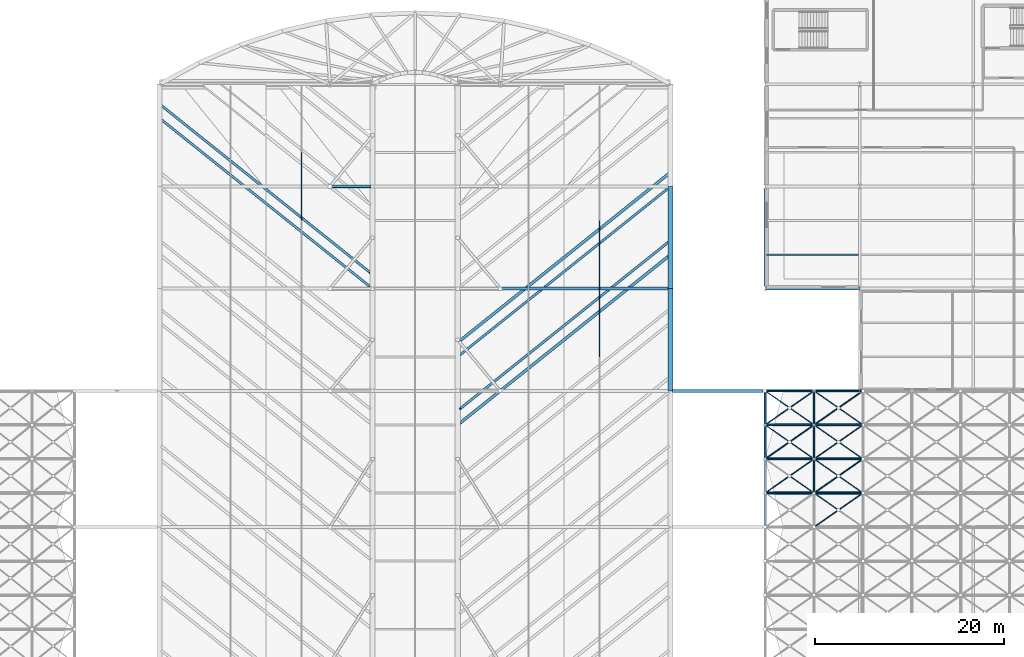
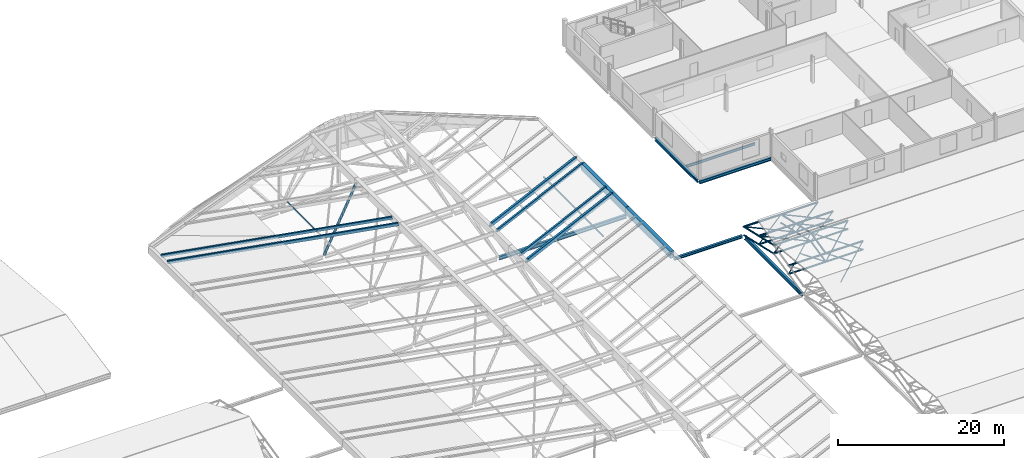
# One storey, part 32 of 110: 47 members, 14 beams.
"""IFC4 building model written with IfcOpenShell, lengths in metres."""

from ifc_helpers import new_model, si_unit, direction, frame, origin, origin_2d, place, context, subcontext, project, spatial, hollow_rectangle, hollow_circle, i_section, extrude, material, material_profile, profile_set, type_object, element, save


model = new_model("IFC4")

# Units and contexts
model_context = context("Model", 3, precision=1e-05, world=origin(), true_north=direction((0.0, 1.0)))
body_context = subcontext(model_context, "Body", "Model", "MODEL_VIEW")
ifc_project = project(units=[si_unit("LENGTHUNIT", "METRE"), si_unit("AREAUNIT", "SQUARE_METRE"), si_unit("VOLUMEUNIT", "CUBIC_METRE"), si_unit("PLANEANGLEUNIT", "RADIAN"), si_unit("MASSUNIT", "GRAM", prefix="KILO")], contexts=[model_context])

# Site, building, storey
site_placement = place(None, origin())
site = spatial("IfcSite", under=ifc_project, at=site_placement, CompositionType="ELEMENT")
building_placement = place(site_placement, origin())
building = spatial("IfcBuilding", under=site, at=building_placement, Name="Tamarisk Ironworks Central Station", CompositionType="ELEMENT")
storey_placement = place(building_placement, frame((0.0, 0.0, 17.39990234375)))
storey = spatial("IfcBuildingStorey", under=building, at=storey_placement, Name="L03", CompositionType="ELEMENT", Elevation=17.39990234375)

# Beams
ifc_material_1 = material(Name="Structural steel S355J2", Category="steel")
ifc_material_profile_1 = material_profile(ifc_material_1, i_section(OverallWidth=0.169921875, OverallDepth=0.360107421875, WebThickness=0.008056640625, FlangeThickness=0.0126953125, at=origin_2d()), Name="IPE 360")
ifc_profile_set_1 = profile_set([ifc_material_profile_1], Name="Structural steel S355J2")
beam_type_1 = type_object("IfcBeamType", Name="BM-B05", PredefinedType="BEAM", material=ifc_profile_set_1)
beam_1_placement = place(storey_placement, frame((118.135009765625, 93.60009765625, -0.429931640625), z_axis=(1.0, 0.0, 0.0), x_axis=(0.0, 1.0, 0.0)))
element("IfcBeam", 1, at=beam_1_placement, inside=storey, type_object=beam_type_1, Name="L03 secondary composite beam 0197", PredefinedType="BEAM", context=body_context, shape_type="SweptSolid", body=[
    extrude(i_section(OverallWidth=0.169921875, OverallDepth=0.360107421875, WebThickness=0.008056640625, FlangeThickness=0.0126953125, at=origin_2d()), origin(), (0.0, 0.0, 1.0), 9.72998046875),
])
ifc_material_2 = material(Name="Painted structural steel S355J2", Category="steel")
ifc_material_profile_2 = material_profile(ifc_material_2, hollow_rectangle(XDim=0.5, YDim=1.0, WallThickness=0.02197265625, at=origin_2d()), Name="BOX 500x1000x22")
ifc_profile_set_2 = profile_set([ifc_material_profile_2], Name="Painted structural steel S355J2")
beam_type_2 = type_object("IfcBeamType", Name="BM-EG01", PredefinedType="USERDEFINED", material=ifc_profile_set_2)
for number, where, z_axis, x_axis, name in (
    (2, (108.0, 79.199951171875, -1.099853515625), (0.0, 1.0, 0.0), (-1.0, 0.0, 0.0), "Concourse straight white eave girder E-014"),
    (3, (108.0, 90.0, -1.099853515625), (0.0, 1.0, 0.0), (-1.0, 0.0, 0.0), "Concourse straight white eave girder E-015"),
):
    element("IfcBeam", number, at=place(storey_placement, frame(where, z_axis=z_axis, x_axis=x_axis)), inside=storey, type_object=beam_type_2, Name=name, ObjectType="TRANSFER GIRDER", PredefinedType="USERDEFINED", context=body_context, shape_type="SweptSolid", body=[
        extrude(hollow_rectangle(XDim=0.5, YDim=1.0, WallThickness=0.02197265625, at=origin_2d()), origin(), (0.0, 0.0, 1.0), 10.800048828125),
    ])
ifc_material_profile_3 = material_profile(ifc_material_2, hollow_rectangle(XDim=0.300048828125, YDim=0.5, WallThickness=0.02001953125, at=origin_2d()), Name="RHS 500x300x20")
ifc_profile_set_3 = profile_set([ifc_material_profile_3], Name="Painted structural steel S355J2")
beam_type_3 = type_object("IfcBeamType", Name="BM-FR01", PredefinedType="USERDEFINED", material=ifc_profile_set_3)
beam_2_placement = place(storey_placement, frame((85.75, 75.800048828125, 7.873291015625), z_axis=(0.74681641456, 0.597451475993, -0.292090699574), x_axis=(-0.624693991975, 0.780869653906, 0.0)))
element("IfcBeam", 4, at=beam_2_placement, inside=storey, type_object=beam_type_3, Name="Concourse paired 45-degree white fishbone roof rib 0158", ObjectType="FISHBONE ROOF RIB", PredefinedType="USERDEFINED", context=body_context, shape_type="SweptSolid", body=[
    extrude(hollow_rectangle(XDim=0.300048828125, YDim=0.5, WallThickness=0.02001953125, at=origin_2d()), origin(), (0.0, 0.0, 1.0), 29.49169921875),
])
beam_3_placement = place(storey_placement, frame((85.75, 84.5, 7.873291015625), z_axis=(0.746812720906, 0.597456799313, -0.292089254932), x_axis=(-0.624699269839, 0.780865431597, 0.0)))
element("IfcBeam", 5, at=beam_3_placement, inside=storey, type_object=beam_type_3, Name="Concourse paired 45-degree white fishbone roof rib 0164", ObjectType="FISHBONE ROOF RIB", PredefinedType="USERDEFINED", context=body_context, shape_type="SweptSolid", body=[
    extrude(hollow_rectangle(XDim=0.300048828125, YDim=0.5, WallThickness=0.02001953125, at=origin_2d()), origin(), (0.0, 0.0, 1.0), 29.491943359375),
])
ifc_material_profile_4 = material_profile(ifc_material_2, hollow_rectangle(XDim=0.25, YDim=0.449951171875, WallThickness=0.01611328125, at=origin_2d()), Name="RHS 450x250x16")
ifc_profile_set_4 = profile_set([ifc_material_profile_4], Name="Painted structural steel S355J2")
beam_type_4 = type_object("IfcBeamType", Name="BM-FR02", PredefinedType="USERDEFINED", material=ifc_profile_set_4)
beam_4_placement = place(storey_placement, frame((85.75, 77.300048828125, 7.897216796875), z_axis=(0.74681641456, 0.597451475993, -0.292090699574), x_axis=(-0.624693991975, 0.780869653906, 0.0)))
element("IfcBeam", 6, at=beam_4_placement, inside=storey, type_object=beam_type_4, Name="Concourse paired 45-degree white fishbone roof rib 0160", ObjectType="FISHBONE ROOF RIB", PredefinedType="USERDEFINED", context=body_context, shape_type="SweptSolid", body=[
    extrude(hollow_rectangle(XDim=0.25, YDim=0.449951171875, WallThickness=0.01611328125, at=origin_2d()), origin(), (0.0, 0.0, 1.0), 29.49169921875),
])
beam_5_placement = place(storey_placement, frame((76.25, 90.199951171875, 7.897216796875), z_axis=(-0.746812720906, 0.597456799313, -0.292089254932), x_axis=(-0.624699269839, -0.780865431597, 0.0)))
element("IfcBeam", 7, at=beam_5_placement, inside=storey, type_object=beam_type_4, Name="Concourse paired 45-degree white fishbone roof rib 0165", ObjectType="FISHBONE ROOF RIB", PredefinedType="USERDEFINED", context=body_context, shape_type="SweptSolid", body=[
    extrude(hollow_rectangle(XDim=0.25, YDim=0.449951171875, WallThickness=0.01611328125, at=origin_2d()), origin(), (0.0, 0.0, 1.0), 29.491943359375),
])
ifc_material_profile_5 = material_profile(ifc_material_2, hollow_rectangle(XDim=0.25, YDim=0.39990234375, WallThickness=0.01611328125, at=origin_2d()), Name="RHS 400x250x16")
ifc_profile_set_5 = profile_set([ifc_material_profile_5], Name="Painted structural steel S355J2")
beam_type_5 = type_object("IfcBeamType", Name="BM-FR03", PredefinedType="USERDEFINED", material=ifc_profile_set_5)
for number, where, z_axis, x_axis, name in (
    (8, (85.75, 83.0, 7.9208984375), (0.746814526668, 0.597458243939, -0.292081682936), (-0.624699269839, 0.780865431597, 0.0), "Concourse paired 45-degree white fishbone roof rib 0162"),
    (9, (76.25, 91.699951171875, 7.9208984375), (-0.746814526668, 0.597458243939, -0.292081682936), (-0.624699269839, -0.780865431597, 0.0), "Concourse paired 45-degree white fishbone roof rib 0167"),
):
    element("IfcBeam", number, at=place(storey_placement, frame(where, z_axis=z_axis, x_axis=x_axis)), inside=storey, type_object=beam_type_5, Name=name, ObjectType="FISHBONE ROOF RIB", PredefinedType="USERDEFINED", context=body_context, shape_type="SweptSolid", body=[
        extrude(hollow_rectangle(XDim=0.25, YDim=0.39990234375, WallThickness=0.01611328125, at=origin_2d()), origin(), (0.0, 0.0, 1.0), 29.49169921875),
    ])
ifc_material_profile_6 = material_profile(ifc_material_1, i_section(OverallWidth=0.300048828125, OverallDepth=0.5400390625, WebThickness=0.012451171875, FlangeThickness=0.02392578125, at=origin_2d()), Name="HEA 550")
ifc_profile_set_6 = profile_set([ifc_material_profile_6], Name="Structural steel S355J2")
beam_type_6 = type_object("IfcBeamType", Name="BM-G04", PredefinedType="BEAM", material=ifc_profile_set_6)
beam_6_placement = place(storey_placement, frame((118.0, 65.0380859375, -1.869873046875), z_axis=(0.0, 1.0, 0.0), x_axis=(-1.0, 0.0, 0.0)))
element("IfcBeam", 10, at=beam_6_placement, inside=storey, type_object=beam_type_6, Name="L03 primary girder Y-0609", PredefinedType="BEAM", context=body_context, shape_type="SweptSolid", body=[
    extrude(i_section(OverallWidth=0.300048828125, OverallDepth=0.5400390625, WebThickness=0.012451171875, FlangeThickness=0.02392578125, at=origin_2d()), origin(), (0.0, 0.0, 1.0), 13.923828125),
])
beam_7_placement = place(storey_placement, frame((90.139892578125, 90.0, -1.869873046875), z_axis=(1.0, 0.0, 0.0), x_axis=(0.0, 1.0, 0.0)))
element("IfcBeam", 11, at=beam_7_placement, inside=storey, type_object=beam_type_6, Name="Concourse roof portal tie girder 037", PredefinedType="BEAM", context=body_context, shape_type="SweptSolid", body=[
    extrude(i_section(OverallWidth=0.300048828125, OverallDepth=0.5400390625, WebThickness=0.012451171875, FlangeThickness=0.02392578125, at=origin_2d()), origin(), (0.0, 0.0, 1.0), 17.72021484375),
])
ifc_material_profile_7 = material_profile(ifc_material_1, i_section(OverallWidth=0.300048828125, OverallDepth=0.43994140625, WebThickness=0.011474609375, FlangeThickness=0.02099609375, at=origin_2d()), Name="HEA 450")
ifc_profile_set_7 = profile_set([ifc_material_profile_7], Name="Structural steel S355J2")
beam_type_7 = type_object("IfcBeamType", Name="BM-G06", PredefinedType="BEAM", material=ifc_profile_set_7)
beam_8_placement = place(storey_placement, frame((118.00390625, 90.0, -0.469970703125), z_axis=(1.0, 0.0, 0.0), x_axis=(0.0, 1.0, 0.0)))
element("IfcBeam", 12, at=beam_8_placement, inside=storey, type_object=beam_type_7, Name="L03 primary girder X-0636", PredefinedType="BEAM", context=body_context, shape_type="SweptSolid", body=[
    extrude(i_section(OverallWidth=0.300048828125, OverallDepth=0.43994140625, WebThickness=0.011474609375, FlangeThickness=0.02099609375, at=origin_2d()), origin(), (0.0, 0.0, 1.0), 9.9921875),
])
beam_9_placement = place(storey_placement, frame((118.0, 90.262939453125, -0.469970703125), z_axis=(0.0, 1.0, 0.0), x_axis=(-1.0, 0.0, 0.0)))
element("IfcBeam", 13, at=beam_9_placement, inside=storey, type_object=beam_type_7, Name="L03 primary girder Y-0680", PredefinedType="BEAM", context=body_context, shape_type="SweptSolid", body=[
    extrude(i_section(OverallWidth=0.300048828125, OverallDepth=0.43994140625, WebThickness=0.011474609375, FlangeThickness=0.02099609375, at=origin_2d()), origin(), (0.0, 0.0, 1.0), 10.274169921875),
])
ifc_material_profile_8 = material_profile(ifc_material_1, i_section(OverallWidth=0.300048828125, OverallDepth=0.389892578125, WebThickness=0.010986328125, FlangeThickness=0.01904296875, at=origin_2d()), Name="HEA 400")
ifc_profile_set_8 = profile_set([ifc_material_profile_8], Name="Structural steel S355J2")
beam_type_8 = type_object("IfcBeamType", Name="BM-G07", PredefinedType="BEAM", material=ifc_profile_set_8)
beam_10_placement = place(storey_placement, frame((108.22998046875, 79.199951171875, -1.7998046875), z_axis=(1.0, 0.0, 0.0), x_axis=(0.0, 1.0, 0.0)))
element("IfcBeam", 14, at=beam_10_placement, inside=storey, type_object=beam_type_8, Name="Train shed to concourse eave tie girder 10", PredefinedType="BEAM", context=body_context, shape_type="SweptSolid", body=[
    extrude(i_section(OverallWidth=0.300048828125, OverallDepth=0.389892578125, WebThickness=0.010986328125, FlangeThickness=0.01904296875, at=origin_2d()), origin(), (0.0, 0.0, 1.0), 9.5400390625),
])

# Members
ifc_material_profile_9 = material_profile(ifc_material_2, hollow_rectangle(XDim=0.1201171875, YDim=0.219970703125, WallThickness=0.008056640625, at=origin_2d()), Name="RHS 220x120x8")
ifc_profile_set_9 = profile_set([ifc_material_profile_9], Name="Painted structural steel S355J2")
member_type_1 = type_object("IfcMemberType", Name="MB-PR01", PredefinedType="PURLIN", material=ifc_profile_set_9)
for number, where, z_axis, x_axis, name in (
    (15, (69.0, 97.199951171875, 5.002685546875), (0.0, 1.0, 0.0), (-1.0, 0.0, 0.0), "Concourse roof glazing purlin 0027"),
    (16, (100.5, 82.800048828125, 2.0693359375), (0.0, 1.0, 0.0), (-1.0, 0.0, 0.0), "Concourse roof glazing purlin 0067"),
    (17, (100.5, 90.0, 2.0693359375), (0.0, 1.0, 0.0), (-1.0, 0.0, 0.0), "Concourse roof glazing purlin 0068"),
):
    element("IfcMember", number, at=place(storey_placement, frame(where, z_axis=z_axis, x_axis=x_axis)), inside=storey, type_object=member_type_1, Name=name, PredefinedType="PURLIN", context=body_context, shape_type="SweptSolid", body=[
        extrude(hollow_rectangle(XDim=0.1201171875, YDim=0.219970703125, WallThickness=0.008056640625, at=origin_2d()), origin(), (0.0, 0.0, 1.0), 7.199951171875),
    ])
ifc_material_3 = material(Name="Structural steel S355J2H", Category="steel")
ifc_material_profile_10 = material_profile(ifc_material_3, hollow_circle(Radius=0.136474609375, WallThickness=0.012451171875, at=origin_2d()), Name="CHS 273x12.5")
ifc_profile_set_10 = profile_set([ifc_material_profile_10], Name="Structural steel S355J2H")
member_type_2 = type_object("IfcMemberType", Name="MB-SFC01", PredefinedType="CHORD", material=ifc_profile_set_10)
member_1_placement = place(storey_placement, frame((118.0, 68.39990234375, 0.35498046875), z_axis=(1.0, 0.0, 0.0), x_axis=(0.0, 1.0, 0.0)))
element("IfcMember", 18, at=member_1_placement, inside=storey, type_object=member_type_2, Name="Train shed space-frame top chord 1915", PredefinedType="CHORD", context=body_context, shape_type="SweptSolid", body=[
    extrude(hollow_circle(Radius=0.136474609375, WallThickness=0.012451171875, at=origin_2d()), origin(), (0.0, 0.0, 1.0), 5.166748046875),
])
member_2_placement = place(storey_placement, frame((123.166748046875, 68.39990234375, 0.35498046875), z_axis=(1.0, 0.0, 0.0), x_axis=(0.0, 1.0, 0.0)))
element("IfcMember", 19, at=member_2_placement, inside=storey, type_object=member_type_2, Name="Train shed space-frame top chord 1916", PredefinedType="CHORD", context=body_context, shape_type="SweptSolid", body=[
    extrude(hollow_circle(Radius=0.136474609375, WallThickness=0.012451171875, at=origin_2d()), origin(), (0.0, 0.0, 1.0), 5.16650390625),
])
member_3_placement = place(storey_placement, frame((118.0, 72.0, 1.18017578125), z_axis=(1.0, 0.0, 0.0), x_axis=(0.0, 1.0, 0.0)))
element("IfcMember", 20, at=member_3_placement, inside=storey, type_object=member_type_2, Name="Train shed space-frame top chord 1927", PredefinedType="CHORD", context=body_context, shape_type="SweptSolid", body=[
    extrude(hollow_circle(Radius=0.136474609375, WallThickness=0.012451171875, at=origin_2d()), origin(), (0.0, 0.0, 1.0), 5.166748046875),
])
member_4_placement = place(storey_placement, frame((123.166748046875, 72.0, 1.18017578125), z_axis=(1.0, 0.0, 0.0), x_axis=(0.0, 1.0, 0.0)))
element("IfcMember", 21, at=member_4_placement, inside=storey, type_object=member_type_2, Name="Train shed space-frame top chord 1928", PredefinedType="CHORD", context=body_context, shape_type="SweptSolid", body=[
    extrude(hollow_circle(Radius=0.136474609375, WallThickness=0.012451171875, at=origin_2d()), origin(), (0.0, 0.0, 1.0), 5.16650390625),
])
member_5_placement = place(storey_placement, frame((118.0, 75.60009765625, 0.35498046875), z_axis=(1.0, 0.0, 0.0), x_axis=(0.0, 1.0, 0.0)))
element("IfcMember", 22, at=member_5_placement, inside=storey, type_object=member_type_2, Name="Train shed space-frame top chord 1939", PredefinedType="CHORD", context=body_context, shape_type="SweptSolid", body=[
    extrude(hollow_circle(Radius=0.136474609375, WallThickness=0.012451171875, at=origin_2d()), origin(), (0.0, 0.0, 1.0), 5.166748046875),
])
member_6_placement = place(storey_placement, frame((123.166748046875, 75.60009765625, 0.35498046875), z_axis=(1.0, 0.0, 0.0), x_axis=(0.0, 1.0, 0.0)))
element("IfcMember", 23, at=member_6_placement, inside=storey, type_object=member_type_2, Name="Train shed space-frame top chord 1940", PredefinedType="CHORD", context=body_context, shape_type="SweptSolid", body=[
    extrude(hollow_circle(Radius=0.136474609375, WallThickness=0.012451171875, at=origin_2d()), origin(), (0.0, 0.0, 1.0), 5.16650390625),
])
member_7_placement = place(storey_placement, frame((118.0, 79.199951171875, -0.469970703125), z_axis=(1.0, 0.0, 0.0), x_axis=(0.0, 1.0, 0.0)))
element("IfcMember", 24, at=member_7_placement, inside=storey, type_object=member_type_2, Name="Train shed space-frame top chord 1951", PredefinedType="CHORD", context=body_context, shape_type="SweptSolid", body=[
    extrude(hollow_circle(Radius=0.136474609375, WallThickness=0.012451171875, at=origin_2d()), origin(), (0.0, 0.0, 1.0), 5.166748046875),
])
member_8_placement = place(storey_placement, frame((123.166748046875, 79.199951171875, -0.469970703125), z_axis=(1.0, 0.0, 0.0), x_axis=(0.0, 1.0, 0.0)))
element("IfcMember", 25, at=member_8_placement, inside=storey, type_object=member_type_2, Name="Train shed space-frame top chord 1952", PredefinedType="CHORD", context=body_context, shape_type="SweptSolid", body=[
    extrude(hollow_circle(Radius=0.136474609375, WallThickness=0.012451171875, at=origin_2d()), origin(), (0.0, 0.0, 1.0), 5.16650390625),
])
ifc_material_profile_11 = material_profile(ifc_material_3, hollow_circle(Radius=0.122314453125, WallThickness=0.012451171875, at=origin_2d()), Name="CHS 244.5x12.5")
ifc_profile_set_11 = profile_set([ifc_material_profile_11], Name="Structural steel S355J2H")
member_type_3 = type_object("IfcMemberType", Name="MB-SFC02", PredefinedType="CHORD", material=ifc_profile_set_11)
member_9_placement = place(storey_placement, frame((118.0, 68.39990234375, -0.89501953125), z_axis=(1.0, 0.0, 0.0), x_axis=(0.0, 1.0, 0.0)))
element("IfcMember", 26, at=member_9_placement, inside=storey, type_object=member_type_3, Name="Train shed space-frame bottom chord 1827", PredefinedType="CHORD", context=body_context, shape_type="SweptSolid", body=[
    extrude(hollow_circle(Radius=0.122314453125, WallThickness=0.012451171875, at=origin_2d()), origin(), (0.0, 0.0, 1.0), 5.166748046875),
])
member_10_placement = place(storey_placement, frame((123.166748046875, 68.39990234375, -0.89501953125), z_axis=(1.0, 0.0, 0.0), x_axis=(0.0, 1.0, 0.0)))
element("IfcMember", 27, at=member_10_placement, inside=storey, type_object=member_type_3, Name="Train shed space-frame bottom chord 1828", PredefinedType="CHORD", context=body_context, shape_type="SweptSolid", body=[
    extrude(hollow_circle(Radius=0.122314453125, WallThickness=0.012451171875, at=origin_2d()), origin(), (0.0, 0.0, 1.0), 5.16650390625),
])
member_11_placement = place(storey_placement, frame((118.0, 72.0, -0.06982421875), z_axis=(1.0, 0.0, 0.0), x_axis=(0.0, 1.0, 0.0)))
element("IfcMember", 28, at=member_11_placement, inside=storey, type_object=member_type_3, Name="Train shed space-frame bottom chord 1839", PredefinedType="CHORD", context=body_context, shape_type="SweptSolid", body=[
    extrude(hollow_circle(Radius=0.122314453125, WallThickness=0.012451171875, at=origin_2d()), origin(), (0.0, 0.0, 1.0), 5.166748046875),
])
member_12_placement = place(storey_placement, frame((123.166748046875, 72.0, -0.06982421875), z_axis=(1.0, 0.0, 0.0), x_axis=(0.0, 1.0, 0.0)))
element("IfcMember", 29, at=member_12_placement, inside=storey, type_object=member_type_3, Name="Train shed space-frame bottom chord 1840", PredefinedType="CHORD", context=body_context, shape_type="SweptSolid", body=[
    extrude(hollow_circle(Radius=0.122314453125, WallThickness=0.012451171875, at=origin_2d()), origin(), (0.0, 0.0, 1.0), 5.16650390625),
])
member_13_placement = place(storey_placement, frame((118.0, 75.60009765625, -0.89501953125), z_axis=(1.0, 0.0, 0.0), x_axis=(0.0, 1.0, 0.0)))
element("IfcMember", 30, at=member_13_placement, inside=storey, type_object=member_type_3, Name="Train shed space-frame bottom chord 1851", PredefinedType="CHORD", context=body_context, shape_type="SweptSolid", body=[
    extrude(hollow_circle(Radius=0.122314453125, WallThickness=0.012451171875, at=origin_2d()), origin(), (0.0, 0.0, 1.0), 5.166748046875),
])
member_14_placement = place(storey_placement, frame((123.166748046875, 75.60009765625, -0.89501953125), z_axis=(1.0, 0.0, 0.0), x_axis=(0.0, 1.0, 0.0)))
element("IfcMember", 31, at=member_14_placement, inside=storey, type_object=member_type_3, Name="Train shed space-frame bottom chord 1852", PredefinedType="CHORD", context=body_context, shape_type="SweptSolid", body=[
    extrude(hollow_circle(Radius=0.122314453125, WallThickness=0.012451171875, at=origin_2d()), origin(), (0.0, 0.0, 1.0), 5.16650390625),
])
member_15_placement = place(storey_placement, frame((118.0, 72.0, 1.18017578125), z_axis=(0.0, 0.974722123001, -0.223420641241), x_axis=(-1.0, 0.0, 0.0)))
element("IfcMember", 32, at=member_15_placement, inside=storey, type_object=member_type_3, Name="Train shed space-frame top transverse chord 1965", PredefinedType="CHORD", context=body_context, shape_type="SweptSolid", body=[
    extrude(hollow_circle(Radius=0.122314453125, WallThickness=0.012451171875, at=origin_2d()), origin(), (0.0, 0.0, 1.0), 3.693359375),
])
member_16_placement = place(storey_placement, frame((118.0, 75.60009765625, 0.35498046875), z_axis=(0.0, 0.974733218107, -0.223372230857), x_axis=(-1.0, 0.0, 0.0)))
element("IfcMember", 33, at=member_16_placement, inside=storey, type_object=member_type_3, Name="Train shed space-frame top transverse chord 1966", PredefinedType="CHORD", context=body_context, shape_type="SweptSolid", body=[
    extrude(hollow_circle(Radius=0.122314453125, WallThickness=0.012451171875, at=origin_2d()), origin(), (0.0, 0.0, 1.0), 3.693115234375),
])
for number, where, z_axis, x_axis, name in (
    (34, (123.166748046875, 68.39990234375, 0.35498046875), (0.0, 0.974722123001, 0.223420641241), (-1.0, 0.0, 0.0), "Train shed space-frame top transverse chord 1968"),
    (35, (123.166748046875, 72.0, 1.18017578125), (0.0, 0.974722123001, -0.223420641241), (-1.0, 0.0, 0.0), "Train shed space-frame top transverse chord 1969"),
):
    element("IfcMember", number, at=place(storey_placement, frame(where, z_axis=z_axis, x_axis=x_axis)), inside=storey, type_object=member_type_3, Name=name, PredefinedType="CHORD", context=body_context, shape_type="SweptSolid", body=[
        extrude(hollow_circle(Radius=0.122314453125, WallThickness=0.012451171875, at=origin_2d()), origin(), (0.0, 0.0, 1.0), 3.693359375),
    ])
member_17_placement = place(storey_placement, frame((123.166748046875, 75.60009765625, 0.35498046875), z_axis=(0.0, 0.974733218107, -0.223372230857), x_axis=(-1.0, 0.0, 0.0)))
element("IfcMember", 36, at=member_17_placement, inside=storey, type_object=member_type_3, Name="Train shed space-frame top transverse chord 1970", PredefinedType="CHORD", context=body_context, shape_type="SweptSolid", body=[
    extrude(hollow_circle(Radius=0.122314453125, WallThickness=0.012451171875, at=origin_2d()), origin(), (0.0, 0.0, 1.0), 3.693115234375),
])
ifc_material_profile_12 = material_profile(ifc_material_3, hollow_circle(Radius=0.109619140625, WallThickness=0.010009765625, at=origin_2d()), Name="CHS 219.1x10")
ifc_profile_set_12 = profile_set([ifc_material_profile_12], Name="Structural steel S355J2H")
member_type_4 = type_object("IfcMemberType", Name="MB-SFC03", PredefinedType="CHORD", material=ifc_profile_set_12)
member_18_placement = place(storey_placement, frame((118.0, 72.0, -0.06982421875), z_axis=(0.0, 0.974722123001, -0.223420641241), x_axis=(-1.0, 0.0, 0.0)))
element("IfcMember", 37, at=member_18_placement, inside=storey, type_object=member_type_4, Name="Train shed space-frame transverse chord 1865", PredefinedType="CHORD", context=body_context, shape_type="SweptSolid", body=[
    extrude(hollow_circle(Radius=0.109619140625, WallThickness=0.010009765625, at=origin_2d()), origin(), (0.0, 0.0, 1.0), 3.693359375),
])
member_19_placement = place(storey_placement, frame((118.0, 75.60009765625, -0.89501953125), z_axis=(0.0, 0.974733218107, -0.223372230857), x_axis=(-1.0, 0.0, 0.0)))
element("IfcMember", 38, at=member_19_placement, inside=storey, type_object=member_type_4, Name="Train shed space-frame transverse chord 1866", PredefinedType="CHORD", context=body_context, shape_type="SweptSolid", body=[
    extrude(hollow_circle(Radius=0.109619140625, WallThickness=0.010009765625, at=origin_2d()), origin(), (0.0, 0.0, 1.0), 3.693115234375),
])
for number, where, z_axis, x_axis, name in (
    (39, (123.166748046875, 68.39990234375, -0.89501953125), (0.0, 0.974722123001, 0.223420641241), (-1.0, 0.0, 0.0), "Train shed space-frame transverse chord 1868"),
    (40, (123.166748046875, 72.0, -0.06982421875), (0.0, 0.974722123001, -0.223420641241), (-1.0, 0.0, 0.0), "Train shed space-frame transverse chord 1869"),
):
    element("IfcMember", number, at=place(storey_placement, frame(where, z_axis=z_axis, x_axis=x_axis)), inside=storey, type_object=member_type_4, Name=name, PredefinedType="CHORD", context=body_context, shape_type="SweptSolid", body=[
        extrude(hollow_circle(Radius=0.109619140625, WallThickness=0.010009765625, at=origin_2d()), origin(), (0.0, 0.0, 1.0), 3.693359375),
    ])
member_20_placement = place(storey_placement, frame((123.166748046875, 75.60009765625, -0.89501953125), z_axis=(0.0, 0.974733218107, -0.223372230857), x_axis=(-1.0, 0.0, 0.0)))
element("IfcMember", 41, at=member_20_placement, inside=storey, type_object=member_type_4, Name="Train shed space-frame transverse chord 1870", PredefinedType="CHORD", context=body_context, shape_type="SweptSolid", body=[
    extrude(hollow_circle(Radius=0.109619140625, WallThickness=0.010009765625, at=origin_2d()), origin(), (0.0, 0.0, 1.0), 3.693115234375),
])
ifc_material_profile_13 = material_profile(ifc_material_3, hollow_circle(Radius=0.084228515625, WallThickness=0.010009765625, at=origin_2d()), Name="CHS 168.3x10")
ifc_profile_set_13 = profile_set([ifc_material_profile_13], Name="Structural steel S355J2H")
member_type_5 = type_object("IfcMemberType", Name="MB-SFD01", PredefinedType="BRACE", material=ifc_profile_set_13)
member_21_placement = place(storey_placement, frame((118.0, 72.0, -0.06982421875), z_axis=(0.818609881232, 0.570392728283, 0.067305258864), x_axis=(-0.571689073201, 0.82047035509, 0.0)))
element("IfcMember", 42, at=member_21_placement, inside=storey, type_object=member_type_5, Name="Train shed space-frame diagonal 2019", PredefinedType="BRACE", context=body_context, shape_type="SweptSolid", body=[
    extrude(hollow_circle(Radius=0.084228515625, WallThickness=0.010009765625, at=origin_2d()), origin(), (0.0, 0.0, 1.0), 6.3115234375),
])
member_22_placement = place(storey_placement, frame((123.166748046875, 68.39990234375, -0.89501953125), z_axis=(0.779234922088, 0.542982617952, 0.31299011614), x_axis=(-0.571707258436, 0.820457683645, 0.0)))
element("IfcMember", 43, at=member_22_placement, inside=storey, type_object=member_type_5, Name="Train shed space-frame diagonal 2025", PredefinedType="BRACE", context=body_context, shape_type="SweptSolid", body=[
    extrude(hollow_circle(Radius=0.084228515625, WallThickness=0.010009765625, at=origin_2d()), origin(), (0.0, 0.0, 1.0), 6.630126953125),
])
member_23_placement = place(storey_placement, frame((123.166748046875, 75.60009765625, -0.89501953125), z_axis=(0.818613050724, 0.570383207302, 0.067347383107), x_axis=(-0.571681159291, 0.820475869305, 0.0)))
element("IfcMember", 44, at=member_23_placement, inside=storey, type_object=member_type_5, Name="Train shed space-frame diagonal 2029", PredefinedType="BRACE", context=body_context, shape_type="SweptSolid", body=[
    extrude(hollow_circle(Radius=0.084228515625, WallThickness=0.010009765625, at=origin_2d()), origin(), (0.0, 0.0, 1.0), 6.311279296875),
])
ifc_material_profile_14 = material_profile(ifc_material_3, hollow_circle(Radius=0.06982421875, WallThickness=0.008056640625, at=origin_2d()), Name="CHS 139.7x8")
ifc_profile_set_14 = profile_set([ifc_material_profile_14], Name="Structural steel S355J2H")
member_type_6 = type_object("IfcMemberType", Name="MB-SFD02", PredefinedType="BRACE", material=ifc_profile_set_14)
member_24_placement = place(storey_placement, frame((118.0, 68.39990234375, -0.89501953125), z_axis=(0.779249385031, 0.542967038306, 0.312981135603), x_axis=(-0.571689073201, 0.82047035509, 0.0)))
element("IfcMember", 45, at=member_24_placement, inside=storey, type_object=member_type_6, Name="Train shed space-frame diagonal 2017", PredefinedType="BRACE", context=body_context, shape_type="SweptSolid", body=[
    extrude(hollow_circle(Radius=0.06982421875, WallThickness=0.008056640625, at=origin_2d()), origin(), (0.0, 0.0, 1.0), 6.63037109375),
])
member_25_placement = place(storey_placement, frame((118.0, 75.60009765625, -0.89501953125), z_axis=(0.818625810636, 0.570365145671, 0.067345250499), x_axis=(-0.57166297408, 0.820488539875, 0.0)))
element("IfcMember", 46, at=member_25_placement, inside=storey, type_object=member_type_6, Name="Train shed space-frame diagonal 2021", PredefinedType="BRACE", context=body_context, shape_type="SweptSolid", body=[
    extrude(hollow_circle(Radius=0.06982421875, WallThickness=0.008056640625, at=origin_2d()), origin(), (0.0, 0.0, 1.0), 6.3115234375),
])
member_26_placement = place(storey_placement, frame((123.166748046875, 64.800048828125, -1.719970703125), z_axis=(0.779259482852, 0.542962908735, 0.312963157772), x_axis=(-0.571681159291, 0.820475869305, 0.0)))
element("IfcMember", 47, at=member_26_placement, inside=storey, type_object=member_type_6, Name="Train shed space-frame diagonal 2023", PredefinedType="BRACE", context=body_context, shape_type="SweptSolid", body=[
    extrude(hollow_circle(Radius=0.06982421875, WallThickness=0.008056640625, at=origin_2d()), origin(), (0.0, 0.0, 1.0), 6.630126953125),
])
member_27_placement = place(storey_placement, frame((123.166748046875, 72.0, -0.06982421875), z_axis=(0.81859712056, 0.570410790085, 0.067307390123), x_axis=(-0.571707258436, 0.820457683645, 0.0)))
element("IfcMember", 48, at=member_27_placement, inside=storey, type_object=member_type_6, Name="Train shed space-frame diagonal 2027", PredefinedType="BRACE", context=body_context, shape_type="SweptSolid", body=[
    extrude(hollow_circle(Radius=0.06982421875, WallThickness=0.008056640625, at=origin_2d()), origin(), (0.0, 0.0, 1.0), 6.3115234375),
])
ifc_material_profile_15 = material_profile(ifc_material_3, hollow_circle(Radius=0.05712890625, WallThickness=0.00634765625, at=origin_2d()), Name="CHS 114.3x6.3")
ifc_profile_set_15 = profile_set([ifc_material_profile_15], Name="Structural steel S355J2H")
member_type_7 = type_object("IfcMemberType", Name="MB-SFD03", PredefinedType="BRACE", material=ifc_profile_set_15)
member_28_placement = place(storey_placement, frame((123.166748046875, 68.39990234375, -0.89501953125), z_axis=(-0.779231423252, 0.542975884106, 0.313010508283), x_axis=(-0.571704213709, -0.820459805248, 0.0)))
element("IfcMember", 49, at=member_28_placement, inside=storey, type_object=member_type_7, Name="Train shed space-frame split counter-diagonal lower 2018", PredefinedType="BRACE", context=body_context, shape_type="SweptSolid", body=[
    extrude(hollow_circle(Radius=0.05712890625, WallThickness=0.00634765625, at=origin_2d()), origin(), (0.0, 0.0, 1.0), 3.26025390625),
])
for number, where, z_axis, x_axis, name in (
    (50, (123.166748046875, 72.0, -0.06982421875), (-0.81862545828, 0.570368646704, 0.067319877544), (-0.571665501983, -0.820486778591, 0.0), "Train shed space-frame split counter-diagonal lower 2020"),
    (51, (120.538330078125, 73.831298828125, 0.146240234375), (-0.818588694614, 0.570421765171, 0.067316854275), (-0.571718624339, -0.820449763596, 0.0), "Train shed space-frame split counter-diagonal upper 2020"),
    (52, (123.166748046875, 75.60009765625, -0.89501953125), (-0.818621116616, 0.570365621695, 0.067398256788), (-0.571665501983, -0.820486778591, 0.0), "Train shed space-frame split counter-diagonal lower 2022"),
    (53, (120.538330078125, 77.431396484375, -0.6787109375), (-0.81862545828, 0.570368646704, 0.067319877544), (-0.571665501983, -0.820486778591, 0.0), "Train shed space-frame split counter-diagonal upper 2022"),
):
    element("IfcMember", number, at=place(storey_placement, frame(where, z_axis=z_axis, x_axis=x_axis)), inside=storey, type_object=member_type_7, Name=name, PredefinedType="BRACE", context=body_context, shape_type="SweptSolid", body=[
        extrude(hollow_circle(Radius=0.05712890625, WallThickness=0.00634765625, at=origin_2d()), origin(), (0.0, 0.0, 1.0), 3.100830078125),
    ])
for number, where, z_axis, x_axis, name in (
    (54, (125.70703125, 66.6298828125, -0.665283203125), (-0.779251958926, 0.542967486998, 0.312973948712), (-0.571688120068, -0.820471019216, 0.0), "Train shed space-frame split counter-diagonal upper 2024"),
    (55, (128.333251953125, 68.39990234375, -0.89501953125), (-0.779202006797, 0.5430075686, 0.313028773514), (-0.571741198525, -0.820434032637, 0.0), "Train shed space-frame split counter-diagonal lower 2026"),
    (56, (125.70703125, 70.22998046875, 0.159912109375), (-0.779251958926, 0.542967486998, 0.312973948712), (-0.571688120068, -0.820471019216, 0.0), "Train shed space-frame split counter-diagonal upper 2026"),
):
    element("IfcMember", number, at=place(storey_placement, frame(where, z_axis=z_axis, x_axis=x_axis)), inside=storey, type_object=member_type_7, Name=name, PredefinedType="BRACE", context=body_context, shape_type="SweptSolid", body=[
        extrude(hollow_circle(Radius=0.05712890625, WallThickness=0.00634765625, at=origin_2d()), origin(), (0.0, 0.0, 1.0), 3.260009765625),
    ])
for number, where, z_axis, x_axis, name in (
    (57, (128.333251953125, 72.0, -0.06982421875), (-0.81862545828, 0.570368646704, 0.067319877544), (-0.571665501983, -0.820486778591, 0.0), "Train shed space-frame split counter-diagonal lower 2028"),
    (58, (125.705078125, 73.831298828125, 0.146240234375), (-0.818588694614, 0.570421765171, 0.067316854275), (-0.571718624339, -0.820449763596, 0.0), "Train shed space-frame split counter-diagonal upper 2028"),
    (59, (128.333251953125, 75.60009765625, -0.89501953125), (-0.818621116616, 0.570365621695, 0.067398256788), (-0.571665501983, -0.820486778591, 0.0), "Train shed space-frame split counter-diagonal lower 2030"),
    (60, (125.705078125, 77.431396484375, -0.6787109375), (-0.81862545828, 0.570368646704, 0.067319877544), (-0.571665501983, -0.820486778591, 0.0), "Train shed space-frame split counter-diagonal upper 2030"),
):
    element("IfcMember", number, at=place(storey_placement, frame(where, z_axis=z_axis, x_axis=x_axis)), inside=storey, type_object=member_type_7, Name=name, PredefinedType="BRACE", context=body_context, shape_type="SweptSolid", body=[
        extrude(hollow_circle(Radius=0.05712890625, WallThickness=0.00634765625, at=origin_2d()), origin(), (0.0, 0.0, 1.0), 3.100830078125),
    ])
ifc_material_profile_16 = material_profile(ifc_material_2, hollow_circle(Radius=0.177734375, WallThickness=0.01611328125, at=origin_2d()), Name="CHS 355.6x16")
ifc_profile_set_16 = profile_set([ifc_material_profile_16], Name="Painted structural steel S355J2")
member_type_8 = type_object("IfcMemberType", Name="MB-VS01", PredefinedType="STRUT", material=ifc_profile_set_16)
member_29_placement = place(storey_placement, frame((72.0, 100.800048828125, -1.639892578125), z_axis=(0.443657342756, 0.0, 0.896196497549), x_axis=(0.0, 1.0, 0.0)))
element("IfcMember", 61, at=member_29_placement, inside=storey, type_object=member_type_8, Name="Concourse spine V-strut 088", PredefinedType="STRUT", context=body_context, shape_type="SweptSolid", body=[
    extrude(hollow_circle(Radius=0.177734375, WallThickness=0.01611328125, at=origin_2d()), origin(), (0.0, 0.0, 1.0), 10.14306640625),
])

save(model, "model.ifc")
